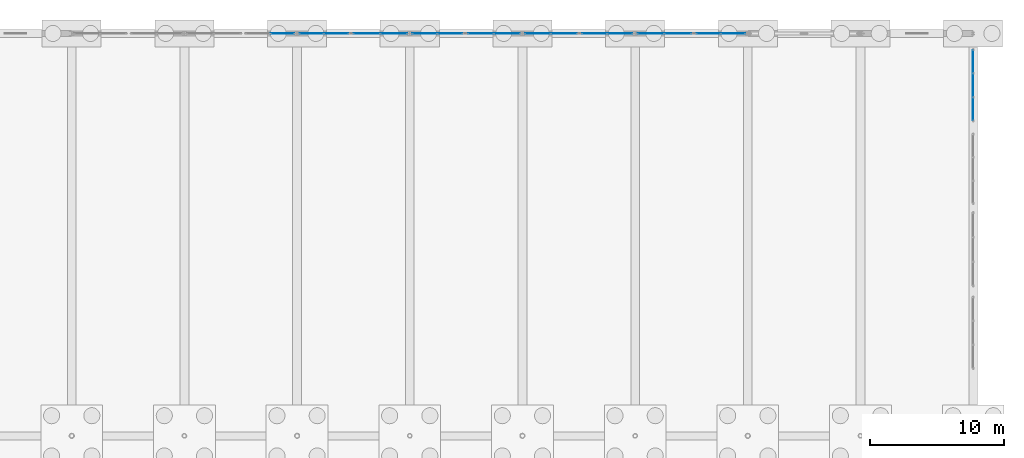
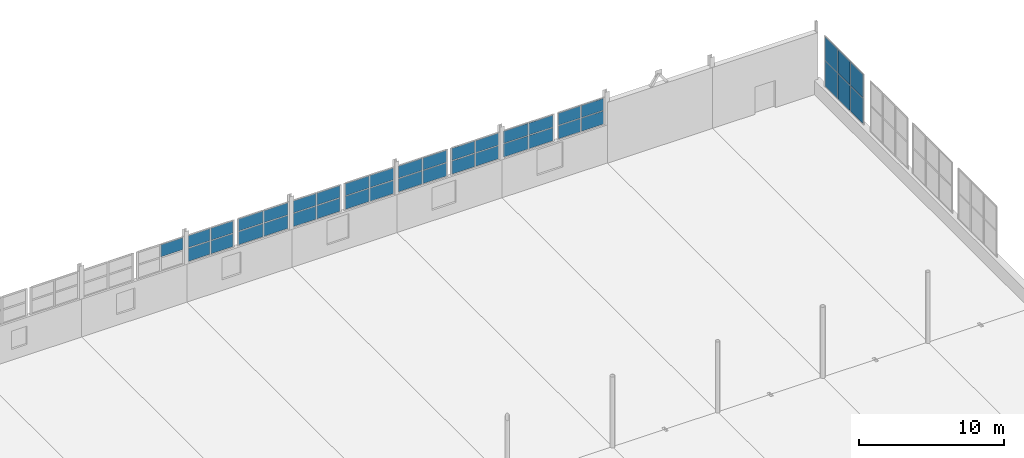
# One storey, part 111 of 139: 39 plates, 10 elements without a shape of their own.
"""IFC4 building model written with IfcOpenShell, lengths in metres."""

from ifc_helpers import new_model, si_unit, direction, frame, origin, origin_2d, place, context, subcontext, project, spatial, rectangle, extrude, material, layer, layer_set, type_object, element, aggregate, save


model = new_model("IFC4")

# Units and contexts
model_context = context("Model", 3, precision=1e-05, world=origin(), true_north=direction((0.0, 1.0)))
body_context = subcontext(model_context, "Body", "Model", "MODEL_VIEW")
ifc_project = project(units=[si_unit("LENGTHUNIT", "METRE"), si_unit("AREAUNIT", "SQUARE_METRE"), si_unit("VOLUMEUNIT", "CUBIC_METRE"), si_unit("PLANEANGLEUNIT", "RADIAN"), si_unit("MASSUNIT", "GRAM", prefix="KILO")], contexts=[model_context])

# Site, building, storey
site_placement = place(None, origin())
site = spatial("IfcSite", under=ifc_project, at=site_placement, CompositionType="ELEMENT")
building_placement = place(site_placement, origin())
building = spatial("IfcBuilding", under=site, at=building_placement, Name="Kazenagashi Tramway Depot", CompositionType="ELEMENT")
storey_placement = place(building_placement, origin())
storey = spatial("IfcBuildingStorey", under=building, at=storey_placement, Name="L01", CompositionType="ELEMENT", Elevation=0.0)

# Curtain wall, plates
ifc_material_1 = material(Name="Anodised Aluminium and Low-E Glazing", Category="aluminium")
curtain_wall_type_1 = type_object("IfcCurtainWallType", Name="CW-17", PredefinedType="USERDEFINED", material=ifc_material_1)
curtain_wall_1_placement = place(storey_placement, origin())
curtain_wall_1 = element("IfcCurtainWall", 1, at=curtain_wall_1_placement, inside=storey, type_object=curtain_wall_type_1, Name="Industrial Glazed Screen CW-17 CW-0082", ObjectType="GLAZED SCREEN", PredefinedType="USERDEFINED")
ifc_material_2 = material(Name="Tempered Laminated Low-E Glass", Category="glass")
ifc_layer_1 = layer(ifc_material_2, 0.018)
ifc_layer_set_1 = layer_set([ifc_layer_1], Name="Tempered Laminated Low-E Glass")
plate_type_1 = type_object("IfcPlateType", Name="GL-02", PredefinedType="CURTAIN_PANEL", material=ifc_layer_set_1)
plate_1_placement = place(storey_placement, frame((146.6875, 130.0, 3.26), z_axis=(0.0, 0.0, 1.0), x_axis=(1.0, 0.0, 0.0)))
plate_1 = element("IfcPlate", 2, at=plate_1_placement, type_object=plate_type_1, Name="CW-17 panel 1.1", PredefinedType="CURTAIN_PANEL", context=body_context, shape_type="SweptSolid", body=[
    extrude(rectangle(XDim=1.775, YDim=0.018, at=origin_2d()), origin(), (0.0, 0.0, 1.0), 1.102),
])
plate_2_placement = place(storey_placement, frame((146.6875, 130.0, 4.422), z_axis=(0.0, 0.0, 1.0), x_axis=(1.0, 0.0, 0.0)))
plate_2 = element("IfcPlate", 3, at=plate_2_placement, type_object=plate_type_1, Name="CW-17 panel 1.2", PredefinedType="CURTAIN_PANEL", context=body_context, shape_type="SweptSolid", body=[
    extrude(rectangle(XDim=1.775, YDim=0.018, at=origin_2d()), origin(), (0.0, 0.0, 1.0), 1.01),
])
plate_3_placement = place(storey_placement, frame((148.5225, 130.0, 3.26), z_axis=(0.0, 0.0, 1.0), x_axis=(1.0, 0.0, 0.0)))
plate_3 = element("IfcPlate", 4, at=plate_3_placement, type_object=plate_type_1, Name="CW-17 panel 2.1", PredefinedType="CURTAIN_PANEL", context=body_context, shape_type="SweptSolid", body=[
    extrude(rectangle(XDim=1.775, YDim=0.018, at=origin_2d()), origin(), (0.0, 0.0, 1.0), 1.102),
])
plate_4_placement = place(storey_placement, frame((148.5225, 130.0, 4.422), z_axis=(0.0, 0.0, 1.0), x_axis=(1.0, 0.0, 0.0)))
plate_4 = element("IfcPlate", 5, at=plate_4_placement, type_object=plate_type_1, Name="CW-17 panel 2.2", PredefinedType="CURTAIN_PANEL", context=body_context, shape_type="SweptSolid", body=[
    extrude(rectangle(XDim=1.775, YDim=0.018, at=origin_2d()), origin(), (0.0, 0.0, 1.0), 1.01),
])
aggregate(curtain_wall_1, [plate_1, plate_2, plate_3, plate_4])

curtain_wall_type_2 = type_object("IfcCurtainWallType", Name="CW-16", PredefinedType="USERDEFINED", material=ifc_material_1)
curtain_wall_2_placement = place(storey_placement, origin())
curtain_wall_2 = element("IfcCurtainWall", 6, at=curtain_wall_2_placement, inside=storey, type_object=curtain_wall_type_2, Name="Industrial Glazed Screen CW-16 CW-0083", ObjectType="GLAZED SCREEN", PredefinedType="USERDEFINED")
ifc_layer_2 = layer(ifc_material_2, 0.02)
ifc_layer_set_2 = layer_set([ifc_layer_2], Name="Tempered Laminated Low-E Glass")
plate_type_2 = type_object("IfcPlateType", Name="GL-03", PredefinedType="CURTAIN_PANEL", material=ifc_layer_set_2)
plate_5_placement = place(storey_placement, frame((150.8075, 130.0, 3.26), z_axis=(0.0, 0.0, 1.0), x_axis=(1.0, 0.0, 0.0)))
plate_5 = element("IfcPlate", 7, at=plate_5_placement, type_object=plate_type_2, Name="CW-16 panel 1.1", PredefinedType="CURTAIN_PANEL", context=body_context, shape_type="SweptSolid", body=[
    extrude(rectangle(XDim=1.955, YDim=0.02, at=origin_2d()), origin(), (0.0, 0.0, 1.0), 1.102),
])
plate_6_placement = place(storey_placement, frame((150.8075, 130.0, 4.422), z_axis=(0.0, 0.0, 1.0), x_axis=(1.0, 0.0, 0.0)))
plate_6 = element("IfcPlate", 8, at=plate_6_placement, type_object=plate_type_2, Name="CW-16 panel 1.2", PredefinedType="CURTAIN_PANEL", context=body_context, shape_type="SweptSolid", body=[
    extrude(rectangle(XDim=1.955, YDim=0.02, at=origin_2d()), origin(), (0.0, 0.0, 1.0), 1.01),
])
plate_7_placement = place(storey_placement, frame((152.8225, 130.0, 3.26), z_axis=(0.0, 0.0, 1.0), x_axis=(1.0, 0.0, 0.0)))
plate_7 = element("IfcPlate", 9, at=plate_7_placement, type_object=plate_type_2, Name="CW-16 panel 2.1", PredefinedType="CURTAIN_PANEL", context=body_context, shape_type="SweptSolid", body=[
    extrude(rectangle(XDim=1.955, YDim=0.02, at=origin_2d()), origin(), (0.0, 0.0, 1.0), 1.102),
])
plate_8_placement = place(storey_placement, frame((152.8225, 130.0, 4.422), z_axis=(0.0, 0.0, 1.0), x_axis=(1.0, 0.0, 0.0)))
plate_8 = element("IfcPlate", 10, at=plate_8_placement, type_object=plate_type_2, Name="CW-16 panel 2.2", PredefinedType="CURTAIN_PANEL", context=body_context, shape_type="SweptSolid", body=[
    extrude(rectangle(XDim=1.955, YDim=0.02, at=origin_2d()), origin(), (0.0, 0.0, 1.0), 1.01),
])
aggregate(curtain_wall_2, [plate_5, plate_6, plate_7, plate_8])

curtain_wall_type_3 = type_object("IfcCurtainWallType", Name="CW-18", PredefinedType="USERDEFINED", material=ifc_material_1)
curtain_wall_3_placement = place(storey_placement, origin())
curtain_wall_3 = element("IfcCurtainWall", 11, at=curtain_wall_3_placement, inside=storey, type_object=curtain_wall_type_3, Name="Industrial Glazed Screen CW-18 CW-0085", ObjectType="GLAZED SCREEN", PredefinedType="USERDEFINED")
ifc_layer_3 = layer(ifc_material_2, 0.024)
ifc_layer_set_3 = layer_set([ifc_layer_3], Name="Tempered Laminated Low-E Glass")
plate_type_3 = type_object("IfcPlateType", Name="GL-05", PredefinedType="CURTAIN_PANEL", material=ifc_layer_set_3)
plate_9_placement = place(storey_placement, frame((155.1175, 130.0, 3.26), z_axis=(0.0, 0.0, 1.0), x_axis=(1.0, 0.0, 0.0)))
plate_9 = element("IfcPlate", 12, at=plate_9_placement, type_object=plate_type_3, Name="CW-18 panel 1.1", PredefinedType="CURTAIN_PANEL", context=body_context, shape_type="SweptSolid", body=[
    extrude(rectangle(XDim=1.835, YDim=0.024, at=origin_2d()), origin(), (0.0, 0.0, 1.0), 1.102),
])
plate_10_placement = place(storey_placement, frame((155.1175, 130.0, 4.422), z_axis=(0.0, 0.0, 1.0), x_axis=(1.0, 0.0, 0.0)))
plate_10 = element("IfcPlate", 13, at=plate_10_placement, type_object=plate_type_3, Name="CW-18 panel 1.2", PredefinedType="CURTAIN_PANEL", context=body_context, shape_type="SweptSolid", body=[
    extrude(rectangle(XDim=1.835, YDim=0.024, at=origin_2d()), origin(), (0.0, 0.0, 1.0), 1.01),
])
plate_11_placement = place(storey_placement, frame((157.0125, 130.0, 3.26), z_axis=(0.0, 0.0, 1.0), x_axis=(1.0, 0.0, 0.0)))
plate_11 = element("IfcPlate", 14, at=plate_11_placement, type_object=plate_type_3, Name="CW-18 panel 2.1", PredefinedType="CURTAIN_PANEL", context=body_context, shape_type="SweptSolid", body=[
    extrude(rectangle(XDim=1.835, YDim=0.024, at=origin_2d()), origin(), (0.0, 0.0, 1.0), 1.102),
])
plate_12_placement = place(storey_placement, frame((157.0125, 130.0, 4.422), z_axis=(0.0, 0.0, 1.0), x_axis=(1.0, 0.0, 0.0)))
plate_12 = element("IfcPlate", 15, at=plate_12_placement, type_object=plate_type_3, Name="CW-18 panel 2.2", PredefinedType="CURTAIN_PANEL", context=body_context, shape_type="SweptSolid", body=[
    extrude(rectangle(XDim=1.835, YDim=0.024, at=origin_2d()), origin(), (0.0, 0.0, 1.0), 1.01),
])
aggregate(curtain_wall_3, [plate_9, plate_10, plate_11, plate_12])

curtain_wall_type_4 = type_object("IfcCurtainWallType", Name="CW-19", PredefinedType="USERDEFINED", material=ifc_material_1)
curtain_wall_4_placement = place(storey_placement, origin())
curtain_wall_4 = element("IfcCurtainWall", 16, at=curtain_wall_4_placement, inside=storey, type_object=curtain_wall_type_4, Name="Industrial Glazed Screen CW-19 CW-0086", ObjectType="GLAZED SCREEN", PredefinedType="USERDEFINED")
ifc_layer_4 = layer(ifc_material_2, 0.026)
ifc_layer_set_4 = layer_set([ifc_layer_4], Name="Tempered Laminated Low-E Glass")
plate_type_4 = type_object("IfcPlateType", Name="GL-06", PredefinedType="CURTAIN_PANEL", material=ifc_layer_set_4)
plate_13_placement = place(storey_placement, frame((159.2975, 130.0, 3.26), z_axis=(0.0, 0.0, 1.0), x_axis=(1.0, 0.0, 0.0)))
plate_13 = element("IfcPlate", 17, at=plate_13_placement, type_object=plate_type_4, Name="CW-19 panel 1.1", PredefinedType="CURTAIN_PANEL", context=body_context, shape_type="SweptSolid", body=[
    extrude(rectangle(XDim=1.895, YDim=0.026, at=origin_2d()), origin(), (0.0, 0.0, 1.0), 1.102),
])
plate_14_placement = place(storey_placement, frame((159.2975, 130.0, 4.422), z_axis=(0.0, 0.0, 1.0), x_axis=(1.0, 0.0, 0.0)))
plate_14 = element("IfcPlate", 18, at=plate_14_placement, type_object=plate_type_4, Name="CW-19 panel 1.2", PredefinedType="CURTAIN_PANEL", context=body_context, shape_type="SweptSolid", body=[
    extrude(rectangle(XDim=1.895, YDim=0.026, at=origin_2d()), origin(), (0.0, 0.0, 1.0), 1.01),
])
plate_15_placement = place(storey_placement, frame((161.2525, 130.0, 3.26), z_axis=(0.0, 0.0, 1.0), x_axis=(1.0, 0.0, 0.0)))
plate_15 = element("IfcPlate", 19, at=plate_15_placement, type_object=plate_type_4, Name="CW-19 panel 2.1", PredefinedType="CURTAIN_PANEL", context=body_context, shape_type="SweptSolid", body=[
    extrude(rectangle(XDim=1.895, YDim=0.026, at=origin_2d()), origin(), (0.0, 0.0, 1.0), 1.102),
])
plate_16_placement = place(storey_placement, frame((161.2525, 130.0, 4.422), z_axis=(0.0, 0.0, 1.0), x_axis=(1.0, 0.0, 0.0)))
plate_16 = element("IfcPlate", 20, at=plate_16_placement, type_object=plate_type_4, Name="CW-19 panel 2.2", PredefinedType="CURTAIN_PANEL", context=body_context, shape_type="SweptSolid", body=[
    extrude(rectangle(XDim=1.895, YDim=0.026, at=origin_2d()), origin(), (0.0, 0.0, 1.0), 1.01),
])
aggregate(curtain_wall_4, [plate_13, plate_14, plate_15, plate_16])

curtain_wall_5_placement = place(storey_placement, origin())
curtain_wall_5 = element("IfcCurtainWall", 21, at=curtain_wall_5_placement, inside=storey, type_object=curtain_wall_type_4, Name="Industrial Glazed Screen CW-19 CW-0088", ObjectType="GLAZED SCREEN", PredefinedType="USERDEFINED")
ifc_layer_5 = layer(ifc_material_2, 0.03)
ifc_layer_set_5 = layer_set([ifc_layer_5], Name="Tempered Laminated Low-E Glass")
plate_type_5 = type_object("IfcPlateType", Name="GL-08", PredefinedType="CURTAIN_PANEL", material=ifc_layer_set_5)
plate_17_placement = place(storey_placement, frame((163.5475, 130.0, 3.26), z_axis=(0.0, 0.0, 1.0), x_axis=(1.0, 0.0, 0.0)))
plate_17 = element("IfcPlate", 22, at=plate_17_placement, type_object=plate_type_5, Name="CW-19 panel 1.1", PredefinedType="CURTAIN_PANEL", context=body_context, shape_type="SweptSolid", body=[
    extrude(rectangle(XDim=1.895, YDim=0.03, at=origin_2d()), origin(), (0.0, 0.0, 1.0), 1.102),
])
plate_18_placement = place(storey_placement, frame((163.5475, 130.0, 4.422), z_axis=(0.0, 0.0, 1.0), x_axis=(1.0, 0.0, 0.0)))
plate_18 = element("IfcPlate", 23, at=plate_18_placement, type_object=plate_type_5, Name="CW-19 panel 1.2", PredefinedType="CURTAIN_PANEL", context=body_context, shape_type="SweptSolid", body=[
    extrude(rectangle(XDim=1.895, YDim=0.03, at=origin_2d()), origin(), (0.0, 0.0, 1.0), 1.01),
])
plate_19_placement = place(storey_placement, frame((165.5025, 130.0, 3.26), z_axis=(0.0, 0.0, 1.0), x_axis=(1.0, 0.0, 0.0)))
plate_19 = element("IfcPlate", 24, at=plate_19_placement, type_object=plate_type_5, Name="CW-19 panel 2.1", PredefinedType="CURTAIN_PANEL", context=body_context, shape_type="SweptSolid", body=[
    extrude(rectangle(XDim=1.895, YDim=0.03, at=origin_2d()), origin(), (0.0, 0.0, 1.0), 1.102),
])
plate_20_placement = place(storey_placement, frame((165.5025, 130.0, 4.422), z_axis=(0.0, 0.0, 1.0), x_axis=(1.0, 0.0, 0.0)))
plate_20 = element("IfcPlate", 25, at=plate_20_placement, type_object=plate_type_5, Name="CW-19 panel 2.2", PredefinedType="CURTAIN_PANEL", context=body_context, shape_type="SweptSolid", body=[
    extrude(rectangle(XDim=1.895, YDim=0.03, at=origin_2d()), origin(), (0.0, 0.0, 1.0), 1.01),
])
aggregate(curtain_wall_5, [plate_17, plate_18, plate_19, plate_20])

curtain_wall_6_placement = place(storey_placement, origin())
curtain_wall_6 = element("IfcCurtainWall", 26, at=curtain_wall_6_placement, inside=storey, type_object=curtain_wall_type_3, Name="Industrial Glazed Screen CW-18 CW-0089", ObjectType="GLAZED SCREEN", PredefinedType="USERDEFINED")
ifc_layer_6 = layer(ifc_material_2, 0.032)
ifc_layer_set_6 = layer_set([ifc_layer_6], Name="Tempered Laminated Low-E Glass")
plate_type_6 = type_object("IfcPlateType", Name="GL-09", PredefinedType="CURTAIN_PANEL", material=ifc_layer_set_6)
plate_21_placement = place(storey_placement, frame((167.7875, 130.0, 3.26), z_axis=(0.0, 0.0, 1.0), x_axis=(1.0, 0.0, 0.0)))
plate_21 = element("IfcPlate", 27, at=plate_21_placement, type_object=plate_type_6, Name="CW-18 panel 1.1", PredefinedType="CURTAIN_PANEL", context=body_context, shape_type="SweptSolid", body=[
    extrude(rectangle(XDim=1.835, YDim=0.032, at=origin_2d()), origin(), (0.0, 0.0, 1.0), 1.102),
])
plate_22_placement = place(storey_placement, frame((167.7875, 130.0, 4.422), z_axis=(0.0, 0.0, 1.0), x_axis=(1.0, 0.0, 0.0)))
plate_22 = element("IfcPlate", 28, at=plate_22_placement, type_object=plate_type_6, Name="CW-18 panel 1.2", PredefinedType="CURTAIN_PANEL", context=body_context, shape_type="SweptSolid", body=[
    extrude(rectangle(XDim=1.835, YDim=0.032, at=origin_2d()), origin(), (0.0, 0.0, 1.0), 1.01),
])
plate_23_placement = place(storey_placement, frame((169.6825, 130.0, 3.26), z_axis=(0.0, 0.0, 1.0), x_axis=(1.0, 0.0, 0.0)))
plate_23 = element("IfcPlate", 29, at=plate_23_placement, type_object=plate_type_6, Name="CW-18 panel 2.1", PredefinedType="CURTAIN_PANEL", context=body_context, shape_type="SweptSolid", body=[
    extrude(rectangle(XDim=1.835, YDim=0.032, at=origin_2d()), origin(), (0.0, 0.0, 1.0), 1.102),
])
plate_24_placement = place(storey_placement, frame((169.6825, 130.0, 4.422), z_axis=(0.0, 0.0, 1.0), x_axis=(1.0, 0.0, 0.0)))
plate_24 = element("IfcPlate", 30, at=plate_24_placement, type_object=plate_type_6, Name="CW-18 panel 2.2", PredefinedType="CURTAIN_PANEL", context=body_context, shape_type="SweptSolid", body=[
    extrude(rectangle(XDim=1.835, YDim=0.032, at=origin_2d()), origin(), (0.0, 0.0, 1.0), 1.01),
])
aggregate(curtain_wall_6, [plate_21, plate_22, plate_23, plate_24])

curtain_wall_7_placement = place(storey_placement, origin())
curtain_wall_7 = element("IfcCurtainWall", 31, at=curtain_wall_7_placement, inside=storey, type_object=curtain_wall_type_2, Name="Industrial Glazed Screen CW-16 CW-0091", ObjectType="GLAZED SCREEN", PredefinedType="USERDEFINED")
ifc_layer_7 = layer(ifc_material_2, 0.036)
ifc_layer_set_7 = layer_set([ifc_layer_7], Name="Tempered Laminated Low-E Glass")
plate_type_7 = type_object("IfcPlateType", Name="GL-11", PredefinedType="CURTAIN_PANEL", material=ifc_layer_set_7)
plate_25_placement = place(storey_placement, frame((171.9775, 130.0, 3.26), z_axis=(0.0, 0.0, 1.0), x_axis=(1.0, 0.0, 0.0)))
plate_25 = element("IfcPlate", 32, at=plate_25_placement, type_object=plate_type_7, Name="CW-16 panel 1.1", PredefinedType="CURTAIN_PANEL", context=body_context, shape_type="SweptSolid", body=[
    extrude(rectangle(XDim=1.955, YDim=0.036, at=origin_2d()), origin(), (0.0, 0.0, 1.0), 1.102),
])
plate_26_placement = place(storey_placement, frame((171.9775, 130.0, 4.422), z_axis=(0.0, 0.0, 1.0), x_axis=(1.0, 0.0, 0.0)))
plate_26 = element("IfcPlate", 33, at=plate_26_placement, type_object=plate_type_7, Name="CW-16 panel 1.2", PredefinedType="CURTAIN_PANEL", context=body_context, shape_type="SweptSolid", body=[
    extrude(rectangle(XDim=1.955, YDim=0.036, at=origin_2d()), origin(), (0.0, 0.0, 1.0), 1.01),
])
plate_27_placement = place(storey_placement, frame((173.9925, 130.0, 3.26), z_axis=(0.0, 0.0, 1.0), x_axis=(1.0, 0.0, 0.0)))
plate_27 = element("IfcPlate", 34, at=plate_27_placement, type_object=plate_type_7, Name="CW-16 panel 2.1", PredefinedType="CURTAIN_PANEL", context=body_context, shape_type="SweptSolid", body=[
    extrude(rectangle(XDim=1.955, YDim=0.036, at=origin_2d()), origin(), (0.0, 0.0, 1.0), 1.102),
])
plate_28_placement = place(storey_placement, frame((173.9925, 130.0, 4.422), z_axis=(0.0, 0.0, 1.0), x_axis=(1.0, 0.0, 0.0)))
plate_28 = element("IfcPlate", 35, at=plate_28_placement, type_object=plate_type_7, Name="CW-16 panel 2.2", PredefinedType="CURTAIN_PANEL", context=body_context, shape_type="SweptSolid", body=[
    extrude(rectangle(XDim=1.955, YDim=0.036, at=origin_2d()), origin(), (0.0, 0.0, 1.0), 1.01),
])
aggregate(curtain_wall_7, [plate_25, plate_26, plate_27, plate_28])

curtain_wall_8_placement = place(storey_placement, origin())
curtain_wall_8 = element("IfcCurtainWall", 36, at=curtain_wall_8_placement, inside=storey, type_object=curtain_wall_type_1, Name="Industrial Glazed Screen CW-17 CW-0092", ObjectType="GLAZED SCREEN", PredefinedType="USERDEFINED")
ifc_layer_8 = layer(ifc_material_2, 0.038)
ifc_layer_set_8 = layer_set([ifc_layer_8], Name="Tempered Laminated Low-E Glass")
plate_type_8 = type_object("IfcPlateType", Name="GL-12", PredefinedType="CURTAIN_PANEL", material=ifc_layer_set_8)
plate_29_placement = place(storey_placement, frame((176.2775, 130.0, 3.26), z_axis=(0.0, 0.0, 1.0), x_axis=(1.0, 0.0, 0.0)))
plate_29 = element("IfcPlate", 37, at=plate_29_placement, type_object=plate_type_8, Name="CW-17 panel 1.1", PredefinedType="CURTAIN_PANEL", context=body_context, shape_type="SweptSolid", body=[
    extrude(rectangle(XDim=1.775, YDim=0.038, at=origin_2d()), origin(), (0.0, 0.0, 1.0), 1.102),
])
plate_30_placement = place(storey_placement, frame((176.2775, 130.0, 4.422), z_axis=(0.0, 0.0, 1.0), x_axis=(1.0, 0.0, 0.0)))
plate_30 = element("IfcPlate", 38, at=plate_30_placement, type_object=plate_type_8, Name="CW-17 panel 1.2", PredefinedType="CURTAIN_PANEL", context=body_context, shape_type="SweptSolid", body=[
    extrude(rectangle(XDim=1.775, YDim=0.038, at=origin_2d()), origin(), (0.0, 0.0, 1.0), 1.01),
])
plate_31_placement = place(storey_placement, frame((178.1125, 130.0, 3.26), z_axis=(0.0, 0.0, 1.0), x_axis=(1.0, 0.0, 0.0)))
plate_31 = element("IfcPlate", 39, at=plate_31_placement, type_object=plate_type_8, Name="CW-17 panel 2.1", PredefinedType="CURTAIN_PANEL", context=body_context, shape_type="SweptSolid", body=[
    extrude(rectangle(XDim=1.775, YDim=0.038, at=origin_2d()), origin(), (0.0, 0.0, 1.0), 1.102),
])
plate_32_placement = place(storey_placement, frame((178.1125, 130.0, 4.422), z_axis=(0.0, 0.0, 1.0), x_axis=(1.0, 0.0, 0.0)))
plate_32 = element("IfcPlate", 40, at=plate_32_placement, type_object=plate_type_8, Name="CW-17 panel 2.2", PredefinedType="CURTAIN_PANEL", context=body_context, shape_type="SweptSolid", body=[
    extrude(rectangle(XDim=1.775, YDim=0.038, at=origin_2d()), origin(), (0.0, 0.0, 1.0), 1.01),
])
aggregate(curtain_wall_8, [plate_29, plate_30, plate_31, plate_32])

curtain_wall_type_5 = type_object("IfcCurtainWallType", Name="CW-05", PredefinedType="USERDEFINED", material=ifc_material_1)
curtain_wall_9_placement = place(storey_placement, origin())
curtain_wall_9 = element("IfcCurtainWall", 41, at=curtain_wall_9_placement, inside=storey, type_object=curtain_wall_type_5, Name="Industrial Glazed Screen CW-05 CW-0015", ObjectType="GLAZED SCREEN", PredefinedType="USERDEFINED")
ifc_layer_9 = layer(ifc_material_2, 0.044)
ifc_layer_set_9 = layer_set([ifc_layer_9], Name="Tempered Laminated Low-E Glass")
plate_type_9 = type_object("IfcPlateType", Name="GL-15", PredefinedType="CURTAIN_PANEL", material=ifc_layer_set_9)
plate_33_placement = place(storey_placement, frame((196.0, 124.356667, 1.26), z_axis=(0.0, 0.0, 1.0), x_axis=(0.0, 1.0, 0.0)))
plate_33 = element("IfcPlate", 42, at=plate_33_placement, type_object=plate_type_9, Name="CW-05 panel 1.1", PredefinedType="CURTAIN_PANEL", context=body_context, shape_type="SweptSolid", body=[
    extrude(rectangle(XDim=1.693333, YDim=0.044, at=origin_2d()), origin(), (0.0, 0.0, 1.0), 2.142),
])
plate_34_placement = place(storey_placement, frame((196.0, 124.356667, 3.462), z_axis=(0.0, 0.0, 1.0), x_axis=(0.0, 1.0, 0.0)))
plate_34 = element("IfcPlate", 43, at=plate_34_placement, type_object=plate_type_9, Name="CW-05 panel 1.2", PredefinedType="CURTAIN_PANEL", context=body_context, shape_type="SweptSolid", body=[
    extrude(rectangle(XDim=1.693333, YDim=0.044, at=origin_2d()), origin(), (0.0, 0.0, 1.0), 1.97),
])
plate_35_placement = place(storey_placement, frame((196.0, 126.125, 1.26), z_axis=(0.0, 0.0, 1.0), x_axis=(0.0, 1.0, 0.0)))
plate_35 = element("IfcPlate", 44, at=plate_35_placement, type_object=plate_type_9, Name="CW-05 panel 2.1", PredefinedType="CURTAIN_PANEL", context=body_context, shape_type="SweptSolid", body=[
    extrude(rectangle(XDim=1.723333, YDim=0.044, at=origin_2d()), origin(), (0.0, 0.0, 1.0), 2.142),
])
plate_36_placement = place(storey_placement, frame((196.0, 126.125, 3.462), z_axis=(0.0, 0.0, 1.0), x_axis=(0.0, 1.0, 0.0)))
plate_36 = element("IfcPlate", 45, at=plate_36_placement, type_object=plate_type_9, Name="CW-05 panel 2.2", PredefinedType="CURTAIN_PANEL", context=body_context, shape_type="SweptSolid", body=[
    extrude(rectangle(XDim=1.723333, YDim=0.044, at=origin_2d()), origin(), (0.0, 0.0, 1.0), 1.97),
])
plate_37_placement = place(storey_placement, frame((196.0, 127.893333, 1.26), z_axis=(0.0, 0.0, 1.0), x_axis=(0.0, 1.0, 0.0)))
plate_37 = element("IfcPlate", 46, at=plate_37_placement, type_object=plate_type_9, Name="CW-05 panel 3.1", PredefinedType="CURTAIN_PANEL", context=body_context, shape_type="SweptSolid", body=[
    extrude(rectangle(XDim=1.693333, YDim=0.044, at=origin_2d()), origin(), (0.0, 0.0, 1.0), 2.142),
])
plate_38_placement = place(storey_placement, frame((196.0, 127.893333, 3.462), z_axis=(0.0, 0.0, 1.0), x_axis=(0.0, 1.0, 0.0)))
plate_38 = element("IfcPlate", 47, at=plate_38_placement, type_object=plate_type_9, Name="CW-05 panel 3.2", PredefinedType="CURTAIN_PANEL", context=body_context, shape_type="SweptSolid", body=[
    extrude(rectangle(XDim=1.693333, YDim=0.044, at=origin_2d()), origin(), (0.0, 0.0, 1.0), 1.97),
])
aggregate(curtain_wall_9, [plate_33, plate_34, plate_35, plate_36, plate_37, plate_38])

# Curtain wall, plate
curtain_wall_10_placement = place(storey_placement, origin())
curtain_wall_10 = element("IfcCurtainWall", 48, at=curtain_wall_10_placement, inside=storey, type_object=curtain_wall_type_1, Name="Industrial Glazed Screen CW-17 CW-0080", ObjectType="GLAZED SCREEN", PredefinedType="USERDEFINED")
ifc_layer_10 = layer(ifc_material_2, 0.046)
ifc_layer_set_10 = layer_set([ifc_layer_10], Name="Tempered Laminated Low-E Glass")
plate_type_10 = type_object("IfcPlateType", Name="GL-16", PredefinedType="CURTAIN_PANEL", material=ifc_layer_set_10)
plate_39_placement = place(storey_placement, frame((144.5125, 130.0, 4.422), z_axis=(0.0, 0.0, 1.0), x_axis=(1.0, 0.0, 0.0)))
plate_39 = element("IfcPlate", 49, at=plate_39_placement, type_object=plate_type_10, Name="CW-17 panel 2.2", PredefinedType="CURTAIN_PANEL", context=body_context, shape_type="SweptSolid", body=[
    extrude(rectangle(XDim=1.775, YDim=0.046, at=origin_2d()), origin(), (0.0, 0.0, 1.0), 1.01),
])
aggregate(curtain_wall_10, [plate_39])

save(model, "model.ifc")
